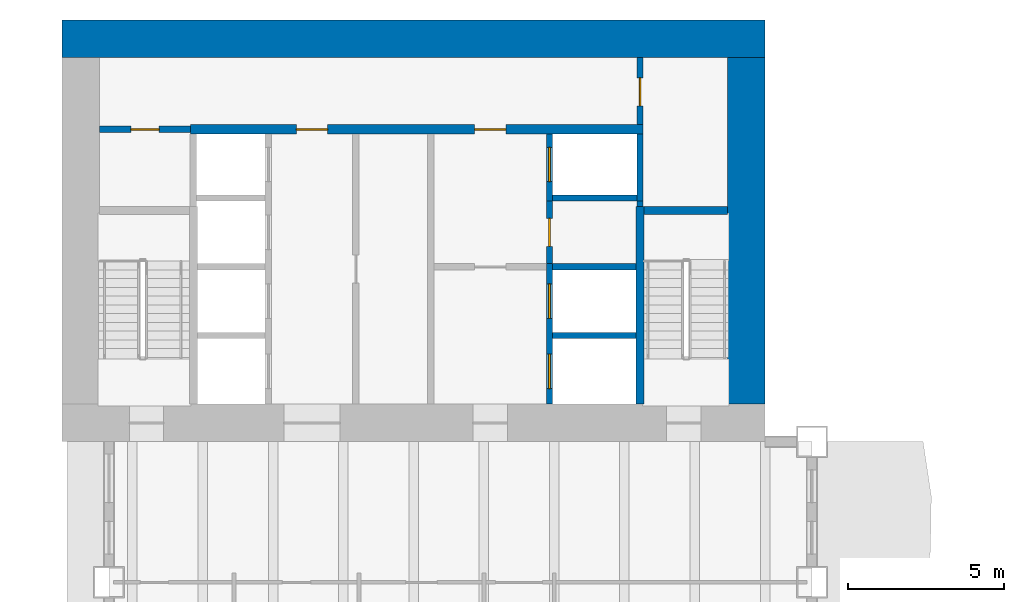
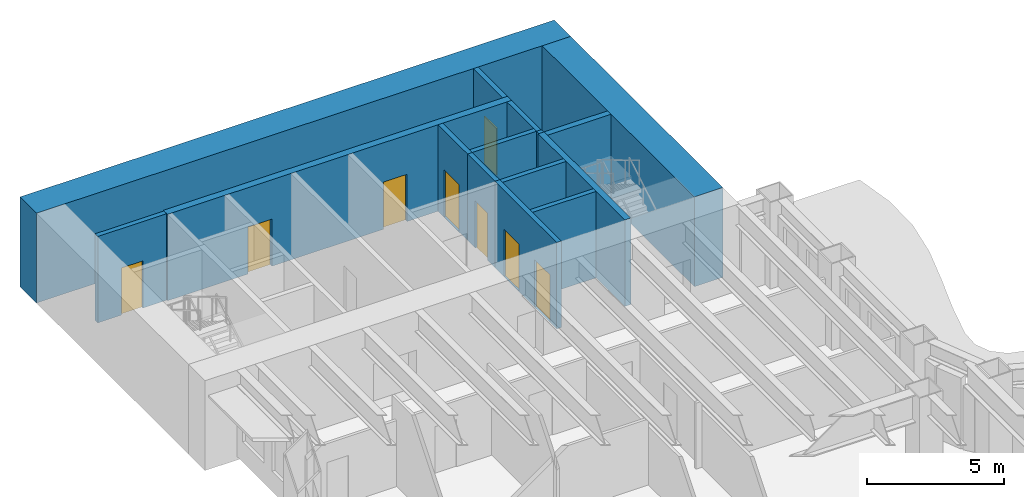
# One storey, part 9 of 16: 15 walls, 8 doors, 8 openings.
"""IFC4 building model written with IfcOpenShell, lengths in metres."""

from ifc_helpers import new_model, si_unit, direction, frame, frame_2d, origin, place, context, subcontext, project, spatial, rectangle, extrude, material, layer, layer_set, type_object, element, fill, save


model = new_model("IFC4")

# Units and contexts
model_context = context("Model", 3, precision=1e-05, world=origin(), true_north=direction((0.0, 1.0)))
body_context = subcontext(model_context, "Body", "Model", "MODEL_VIEW")
ifc_project = project(units=[si_unit("LENGTHUNIT", "METRE"), si_unit("AREAUNIT", "SQUARE_METRE"), si_unit("VOLUMEUNIT", "CUBIC_METRE"), si_unit("PLANEANGLEUNIT", "RADIAN"), si_unit("MASSUNIT", "GRAM", prefix="KILO")], contexts=[model_context])

# Site, building, storey
site_placement = place(None, origin())
site = spatial("IfcSite", under=ifc_project, at=site_placement, CompositionType="ELEMENT")
building_placement = place(site_placement, origin())
building = spatial("IfcBuilding", under=site, at=building_placement, Name="Sennacour Bend Tower", CompositionType="ELEMENT")
storey_placement = place(building_placement, frame((0.0, 0.0, 115.0)))
storey = spatial("IfcBuildingStorey", under=building, at=storey_placement, Name="L26", CompositionType="ELEMENT", Elevation=115.0)

# Walls
ifc_material_1 = material(Name="Concrete C80/95", Category="concrete")
ifc_layer_1 = layer(ifc_material_1, 1.199951171875, Name="Concrete C80/95", Category="concrete")
ifc_layer_set_1 = layer_set([ifc_layer_1], Name="Concrete C80/95")
wall_type_1 = type_object("IfcWallType", Name="Core wall 1200 C80/95", PredefinedType="SHEAR", material=ifc_layer_set_1)
wall_1_placement = place(storey_placement, frame((0.0, 48.89990234375, -0.14990234375), z_axis=(0.0, 0.0, 1.0), x_axis=(1.0, 0.0, 0.0)))
element("IfcWall", 1, at=wall_1_placement, inside=storey, type_object=wall_type_1, Name="Core B wall L26 N", PredefinedType="SHEAR", context=body_context, shape_type="SweptSolid", body=[
    extrude(rectangle(XDim=22.5, YDim=1.199951171875, at=frame_2d((11.25, 0.0))), origin(), (0.0, 0.0, 1.0), 4.0),
])
wall_2_placement = place(storey_placement, frame((21.89990234375, 37.199951171875, -0.14990234375), z_axis=(0.0, 0.0, 1.0), x_axis=(0.0, 1.0, 0.0)))
element("IfcWall", 2, at=wall_2_placement, inside=storey, type_object=wall_type_1, Name="Core B wall L26 E", PredefinedType="SHEAR", context=body_context, shape_type="SweptSolid", body=[
    extrude(rectangle(XDim=11.10009765625, YDim=1.199951171875, at=frame_2d((5.550048828125, 0.0))), origin(), (0.0, 0.0, 1.0), 4.0),
])

# Wall, opening, door
ifc_material_2 = material(Name="Fire-rated plasterboard partition on steel studs", Category="steel")
ifc_layer_2 = layer(ifc_material_2, 0.199951171875, Name="Fire-rated plasterboard partition on steel studs", Category="steel")
ifc_layer_set_2 = layer_set([ifc_layer_2], Name="Fire-rated plasterboard partition on steel studs")
wall_type_2 = type_object("IfcWallType", Name="Rated partition 200", PredefinedType="PARTITIONING", material=ifc_layer_set_2)
wall_3_placement = place(storey_placement, frame((15.60009765625, 41.699951171875, 0.0), z_axis=(0.0, 0.0, 1.0), x_axis=(0.0, 1.0, 0.0)))
wall_3 = element("IfcWall", 3, at=wall_3_placement, inside=storey, type_object=wall_type_2, Name="P-L26-W017", PredefinedType="PARTITIONING", context=body_context, shape_type="SweptSolid", body=[
    extrude(rectangle(XDim=2.0, YDim=0.199951171875, at=frame_2d((1.0, 0.0))), origin(), (0.0, 0.0, 1.0), 3.85009765625),
])
opening_1_placement = place(wall_3_placement, frame((0.550048828125, 0.0, 0.0)))
opening_1 = element("IfcOpeningElement", 4, at=opening_1_placement, cuts=wall_3, Name="Opening SV", PredefinedType="OPENING", context=body_context, shape_type="SweptSolid", body=[
    extrude(rectangle(XDim=0.89990234375, YDim=2.10009765625, at=frame_2d((0.449951171875, 1.050048828125))), frame((0.0, 0.10986328125, 0.0), z_axis=(0.0, -1.0, 0.0), x_axis=(1.0, 0.0, 0.0)), (0.0, 0.0, 1.0), 0.219970703125),
])
ifc_material_3 = material(Name="Painted steel", Category="steel")
door_type_1 = type_object("IfcDoorType", Name="DR-SERVICE-900", OperationType="NOTDEFINED", PredefinedType="DOOR", material=ifc_material_3)
door_1_placement = place(opening_1_placement, origin())
door_1 = element("IfcDoor", 5, at=door_1_placement, inside=storey, type_object=door_type_1, Name="Door", OperationType="SINGLE_SWING_RIGHT", OverallHeight=2.10009765625, OverallWidth=0.89990234375, PredefinedType="DOOR", context=body_context, shape_type="SweptSolid", body=[
    extrude(rectangle(XDim=0.89990234375, YDim=2.10009765625, at=frame_2d((0.449951171875, 1.050048828125))), frame((0.0, 0.02490234375, 0.0), z_axis=(0.0, -1.0, 0.0), x_axis=(1.0, 0.0, 0.0)), (0.0, 0.0, 1.0), 0.050048828125),
])
fill(opening_1, door_1)

# Wall
wall_4_placement = place(storey_placement, frame((18.5, 43.52490234375, 0.0), z_axis=(0.0, 0.0, 1.0), x_axis=(0.0, 1.0, 0.0)))
element("IfcWall", 6, at=wall_4_placement, inside=storey, type_object=wall_type_2, Name="P-L26-W022", PredefinedType="PARTITIONING", context=body_context, shape_type="SweptSolid", body=[
    extrude(rectangle(XDim=0.175048828125, YDim=0.199951171875, at=frame_2d((0.08740234375, 0.0))), origin(), (0.0, 0.0, 1.0), 3.85009765625),
])

# Wall, opening, door
wall_5_placement = place(storey_placement, frame((18.5, 46.14990234375, 0.0), z_axis=(0.0, 0.0, 1.0), x_axis=(0.0, 1.0, 0.0)))
wall_5 = element("IfcWall", 7, at=wall_5_placement, inside=storey, type_object=wall_type_2, Name="P-L26-W024", PredefinedType="PARTITIONING", context=body_context, shape_type="SweptSolid", body=[
    extrude(rectangle(XDim=2.150146484375, YDim=0.199951171875, at=frame_2d((1.0751953125, 0.0))), origin(), (0.0, 0.0, 1.0), 3.85009765625),
])
opening_2_placement = place(wall_5_placement, frame((0.60009765625, 0.0, 0.0)))
opening_2 = element("IfcOpeningElement", 8, at=opening_2_placement, cuts=wall_5, Name="Opening SV", PredefinedType="OPENING", context=body_context, shape_type="SweptSolid", body=[
    extrude(rectangle(XDim=0.89990234375, YDim=2.10009765625, at=frame_2d((0.449951171875, 1.050048828125))), frame((0.0, 0.10986328125, 0.0), z_axis=(0.0, -1.0, 0.0), x_axis=(1.0, 0.0, 0.0)), (0.0, 0.0, 1.0), 0.219970703125),
])
door_2_placement = place(opening_2_placement, origin())
door_2 = element("IfcDoor", 9, at=door_2_placement, inside=storey, type_object=door_type_1, Name="Door", OperationType="SINGLE_SWING_LEFT", OverallHeight=2.10009765625, OverallWidth=0.89990234375, PredefinedType="DOOR", context=body_context, shape_type="SweptSolid", body=[
    extrude(rectangle(XDim=0.89990234375, YDim=2.10009765625, at=frame_2d((0.449951171875, 1.050048828125))), frame((0.0, 0.02490234375, 0.0), z_axis=(0.0, -1.0, 0.0), x_axis=(1.0, 0.0, 0.0)), (0.0, 0.0, 1.0), 0.050048828125),
])
fill(opening_2, door_2)

wall_6_placement = place(storey_placement, frame((1.199951171875, 46.0, 0.0), z_axis=(0.0, 0.0, 1.0), x_axis=(1.0, 0.0, 0.0)))
wall_6 = element("IfcWall", 10, at=wall_6_placement, inside=storey, type_object=wall_type_2, Name="P-L26-W082", PredefinedType="PARTITIONING", context=body_context, shape_type="SweptSolid", body=[
    extrude(rectangle(XDim=2.900146484375, YDim=0.199951171875, at=frame_2d((1.4501953125, 0.0))), origin(), (0.0, 0.0, 1.0), 3.85009765625),
])
opening_3_placement = place(wall_6_placement, frame((1.0, 0.0, 0.0)))
opening_3 = element("IfcOpeningElement", 11, at=opening_3_placement, cuts=wall_6, Name="Opening SV", PredefinedType="OPENING", context=body_context, shape_type="SweptSolid", body=[
    extrude(rectangle(XDim=0.89990234375, YDim=2.10009765625, at=frame_2d((0.449951171875, 1.050048828125))), frame((0.0, 0.10986328125, 0.0), z_axis=(0.0, -1.0, 0.0), x_axis=(1.0, 0.0, 0.0)), (0.0, 0.0, 1.0), 0.219970703125),
])
door_3_placement = place(opening_3_placement, origin())
door_3 = element("IfcDoor", 12, at=door_3_placement, inside=storey, type_object=door_type_1, Name="Door", OperationType="SINGLE_SWING_LEFT", OverallHeight=2.10009765625, OverallWidth=0.89990234375, PredefinedType="DOOR", context=body_context, shape_type="SweptSolid", body=[
    extrude(rectangle(XDim=0.89990234375, YDim=2.10009765625, at=frame_2d((0.449951171875, 1.050048828125))), frame((0.0, 0.02490234375, 0.0), z_axis=(0.0, -1.0, 0.0), x_axis=(1.0, 0.0, 0.0)), (0.0, 0.0, 1.0), 0.050048828125),
])
fill(opening_3, door_3)

# Wall, openings, doors
ifc_material_4 = material(Name="Concrete C50/60", Category="concrete")
ifc_layer_3 = layer(ifc_material_4, 0.199951171875, Name="Concrete C50/60", Category="concrete")
ifc_layer_set_3 = layer_set([ifc_layer_3], Name="Concrete C50/60")
wall_type_3 = type_object("IfcWallType", Name="Shaft wall 200", PredefinedType="SOLIDWALL", material=ifc_layer_set_3)
wall_7_placement = place(storey_placement, frame((15.60009765625, 37.199951171875, 0.0), z_axis=(0.0, 0.0, 1.0), x_axis=(0.0, 1.0, 0.0)))
wall_7 = element("IfcWall", 13, at=wall_7_placement, inside=storey, type_object=wall_type_3, Name="P-L26-W016", PredefinedType="SOLIDWALL", context=body_context, shape_type="SweptSolid", body=[
    extrude(rectangle(XDim=4.5, YDim=0.199951171875, at=frame_2d((2.25, 0.0))), origin(), (0.0, 0.0, 1.0), 3.85009765625),
])
opening_4_placement = place(wall_7_placement, frame((0.5, 0.0, 0.011962890625)))
opening_4 = element("IfcOpeningElement", 14, at=opening_4_placement, cuts=wall_7, Name="Opening FLD", PredefinedType="OPENING", context=body_context, shape_type="SweptSolid", body=[
    extrude(rectangle(XDim=1.10009765625, YDim=2.10009765625, at=frame_2d((0.550048828125, 1.050048828125))), frame((0.0, 0.10986328125, 0.0), z_axis=(0.0, -1.0, 0.0), x_axis=(1.0, 0.0, 0.0)), (0.0, 0.0, 1.0), 0.219970703125),
])
opening_5_placement = place(wall_7_placement, frame((2.75, 0.0, 0.011962890625)))
opening_5 = element("IfcOpeningElement", 15, at=opening_5_placement, cuts=wall_7, Name="Opening FLD", PredefinedType="OPENING", context=body_context, shape_type="SweptSolid", body=[
    extrude(rectangle(XDim=1.10009765625, YDim=2.10009765625, at=frame_2d((0.550048828125, 1.050048828125))), frame((0.0, 0.10986328125, 0.0), z_axis=(0.0, -1.0, 0.0), x_axis=(1.0, 0.0, 0.0)), (0.0, 0.0, 1.0), 0.219970703125),
])
ifc_material_5 = material(Name="Stainless steel", Category="steel")
door_type_2 = type_object("IfcDoorType", Name="DR-FF-LANDING-1100", OperationType="NOTDEFINED", PredefinedType="DOOR", material=ifc_material_5)
door_4_placement = place(opening_4_placement, origin())
door_4 = element("IfcDoor", 16, at=door_4_placement, inside=storey, type_object=door_type_2, Name="Fire service lift landing door FB1", OperationType="SLIDING_TO_LEFT", OverallHeight=2.10009765625, OverallWidth=1.10009765625, PredefinedType="DOOR", context=body_context, shape_type="SweptSolid", body=[
    extrude(rectangle(XDim=1.10009765625, YDim=2.10009765625, at=frame_2d((0.550048828125, 1.050048828125))), frame((0.0, 0.02490234375, 0.0), z_axis=(0.0, -1.0, 0.0), x_axis=(1.0, 0.0, 0.0)), (0.0, 0.0, 1.0), 0.050048828125),
])
fill(opening_4, door_4)
door_5_placement = place(opening_5_placement, origin())
door_5 = element("IfcDoor", 17, at=door_5_placement, inside=storey, type_object=door_type_2, Name="Fire service lift landing door FB2", OperationType="SLIDING_TO_RIGHT", OverallHeight=2.10009765625, OverallWidth=1.10009765625, PredefinedType="DOOR", context=body_context, shape_type="SweptSolid", body=[
    extrude(rectangle(XDim=1.10009765625, YDim=2.10009765625, at=frame_2d((0.550048828125, 1.050048828125))), frame((0.0, 0.02490234375, 0.0), z_axis=(0.0, -1.0, 0.0), x_axis=(1.0, 0.0, 0.0)), (0.0, 0.0, 1.0), 0.050048828125),
])
fill(opening_5, door_5)

# Wall, opening, door
wall_8_placement = place(storey_placement, frame((15.60009765625, 43.699951171875, 0.0), z_axis=(0.0, 0.0, 1.0), x_axis=(0.0, 1.0, 0.0)))
wall_8 = element("IfcWall", 18, at=wall_8_placement, inside=storey, type_object=wall_type_3, Name="P-L26-W018", PredefinedType="SOLIDWALL", context=body_context, shape_type="SweptSolid", body=[
    extrude(rectangle(XDim=2.150146484375, YDim=0.199951171875, at=frame_2d((1.0751953125, 0.0))), origin(), (0.0, 0.0, 1.0), 3.85009765625),
])
opening_6_placement = place(wall_8_placement, frame((0.625, 0.0, 0.011962890625)))
opening_6 = element("IfcOpeningElement", 19, at=opening_6_placement, cuts=wall_8, Name="Opening LD", PredefinedType="OPENING", context=body_context, shape_type="SweptSolid", body=[
    extrude(rectangle(XDim=1.10009765625, YDim=2.10009765625, at=frame_2d((0.550048828125, 1.050048828125))), frame((0.0, 0.10986328125, 0.0), z_axis=(0.0, -1.0, 0.0), x_axis=(1.0, 0.0, 0.0)), (0.0, 0.0, 1.0), 0.219970703125),
])
door_type_3 = type_object("IfcDoorType", Name="DR-LANDING-1100", OperationType="NOTDEFINED", PredefinedType="DOOR", material=ifc_material_5)
door_6_placement = place(opening_6_placement, origin())
door_6 = element("IfcDoor", 20, at=door_6_placement, inside=storey, type_object=door_type_3, Name="Lift landing door LB5", OperationType="SLIDING_TO_LEFT", OverallHeight=2.10009765625, OverallWidth=1.10009765625, PredefinedType="DOOR", context=body_context, shape_type="SweptSolid", body=[
    extrude(rectangle(XDim=1.10009765625, YDim=2.10009765625, at=frame_2d((0.550048828125, 1.050048828125))), frame((0.0, 0.02490234375, 0.0), z_axis=(0.0, -1.0, 0.0), x_axis=(1.0, 0.0, 0.0)), (0.0, 0.0, 1.0), 0.050048828125),
])
fill(opening_6, door_6)

# Walls
wall_9_placement = place(storey_placement, frame((18.5, 43.699951171875, 0.0), z_axis=(0.0, 0.0, 1.0), x_axis=(0.0, 1.0, 0.0)))
element("IfcWall", 21, at=wall_9_placement, inside=storey, type_object=wall_type_3, Name="P-L26-W023", PredefinedType="SOLIDWALL", context=body_context, shape_type="SweptSolid", body=[
    extrude(rectangle(XDim=2.150146484375, YDim=0.199951171875, at=frame_2d((1.0751953125, 0.0))), origin(), (0.0, 0.0, 1.0), 3.85009765625),
])
for number, where, z_axis, x_axis, name in (
    (22, (15.699951171875, 39.39990234375, 0.0), (0.0, 0.0, 1.0), (1.0, 0.0, 0.0), "P-L26-W074"),
    (23, (15.699951171875, 41.60009765625, 0.0), (0.0, 0.0, 1.0), (1.0, 0.0, 0.0), "P-L26-W077"),
):
    element("IfcWall", number, at=place(storey_placement, frame(where, z_axis=z_axis, x_axis=x_axis)), inside=storey, type_object=wall_type_3, Name=name, PredefinedType="SOLIDWALL", context=body_context, shape_type="SweptSolid", body=[
        extrude(rectangle(XDim=2.675048828125, YDim=0.199951171875, at=frame_2d((1.33740234375, 0.0))), origin(), (0.0, 0.0, 1.0), 3.85009765625),
    ])
wall_10_placement = place(storey_placement, frame((15.699951171875, 43.800048828125, 0.0), z_axis=(0.0, 0.0, 1.0), x_axis=(1.0, 0.0, 0.0)))
element("IfcWall", 24, at=wall_10_placement, inside=storey, type_object=wall_type_3, Name="P-L26-W081", PredefinedType="SOLIDWALL", context=body_context, shape_type="SweptSolid", body=[
    extrude(rectangle(XDim=2.699951171875, YDim=0.199951171875, at=frame_2d((1.35009765625, 0.0))), origin(), (0.0, 0.0, 1.0), 3.85009765625),
])

# Wall, openings, doors
ifc_material_6 = material(Name="Concrete C60/75", Category="concrete")
ifc_layer_4 = layer(ifc_material_6, 0.300048828125, Name="Concrete C60/75", Category="concrete")
ifc_layer_set_4 = layer_set([ifc_layer_4], Name="Concrete C60/75")
wall_type_4 = type_object("IfcWallType", Name="Spine wall 300", PredefinedType="SHEAR", material=ifc_layer_set_4)
wall_11_placement = place(storey_placement, frame((4.10009765625, 46.0, 0.0), z_axis=(0.0, 0.0, 1.0), x_axis=(1.0, 0.0, 0.0)))
wall_11 = element("IfcWall", 25, at=wall_11_placement, inside=storey, type_object=wall_type_4, Name="P-L26-W083", PredefinedType="SHEAR", context=body_context, shape_type="SweptSolid", body=[
    extrude(rectangle(XDim=14.5, YDim=0.300048828125, at=frame_2d((7.25, 0.0))), origin(), (0.0, 0.0, 1.0), 3.85009765625),
])
opening_7_placement = place(wall_11_placement, frame((3.39990234375, 0.0, 0.0)))
opening_7 = element("IfcOpeningElement", 26, at=opening_7_placement, cuts=wall_11, Name="Opening CD2", PredefinedType="OPENING", context=body_context, shape_type="SweptSolid", body=[
    extrude(rectangle(XDim=1.0, YDim=2.10009765625, at=frame_2d((0.5, 1.050048828125))), frame((0.0, 0.16015625, 0.0), z_axis=(0.0, -1.0, 0.0), x_axis=(1.0, 0.0, 0.0)), (0.0, 0.0, 1.0), 0.320068359375),
])
opening_8_placement = place(wall_11_placement, frame((9.099853515625, 0.0, 0.0)))
opening_8 = element("IfcOpeningElement", 27, at=opening_8_placement, cuts=wall_11, Name="Opening CD2", PredefinedType="OPENING", context=body_context, shape_type="SweptSolid", body=[
    extrude(rectangle(XDim=1.0, YDim=2.10009765625, at=frame_2d((0.5, 1.050048828125))), frame((0.0, 0.16015625, 0.0), z_axis=(0.0, -1.0, 0.0), x_axis=(1.0, 0.0, 0.0)), (0.0, 0.0, 1.0), 0.320068359375),
])
door_type_4 = type_object("IfcDoorType", Name="DR-LOBBY-1000", OperationType="NOTDEFINED", PredefinedType="DOOR", material=ifc_material_3)
door_7_placement = place(opening_7_placement, origin())
door_7 = element("IfcDoor", 28, at=door_7_placement, inside=storey, type_object=door_type_4, Name="Door", OperationType="SINGLE_SWING_LEFT", OverallHeight=2.10009765625, OverallWidth=1.0, PredefinedType="DOOR", context=body_context, shape_type="SweptSolid", body=[
    extrude(rectangle(XDim=1.0, YDim=2.10009765625, at=frame_2d((0.5, 1.050048828125))), frame((0.0, 0.02490234375, 0.0), z_axis=(0.0, -1.0, 0.0), x_axis=(1.0, 0.0, 0.0)), (0.0, 0.0, 1.0), 0.050048828125),
])
fill(opening_7, door_7)
door_8_placement = place(opening_8_placement, origin())
door_8 = element("IfcDoor", 29, at=door_8_placement, inside=storey, type_object=door_type_4, Name="Door", OperationType="SINGLE_SWING_RIGHT", OverallHeight=2.10009765625, OverallWidth=1.0, PredefinedType="DOOR", context=body_context, shape_type="SweptSolid", body=[
    extrude(rectangle(XDim=1.0, YDim=2.10009765625, at=frame_2d((0.5, 1.050048828125))), frame((0.0, 0.02490234375, 0.0), z_axis=(0.0, -1.0, 0.0), x_axis=(1.0, 0.0, 0.0)), (0.0, 0.0, 1.0), 0.050048828125),
])
fill(opening_8, door_8)

# Walls
ifc_layer_5 = layer(ifc_material_6, 0.25, Name="Concrete C60/75", Category="concrete")
ifc_layer_set_5 = layer_set([ifc_layer_5], Name="Concrete C60/75")
wall_type_5 = type_object("IfcWallType", Name="Stair wall 250", PredefinedType="SHEAR", material=ifc_layer_set_5)
wall_12_placement = place(storey_placement, frame((18.5, 37.199951171875, 0.0), z_axis=(0.0, 0.0, 1.0), x_axis=(0.0, 1.0, 0.0)))
element("IfcWall", 30, at=wall_12_placement, inside=storey, type_object=wall_type_5, Name="P-L26-W021", PredefinedType="SHEAR", context=body_context, shape_type="SweptSolid", body=[
    extrude(rectangle(XDim=6.324951171875, YDim=0.25, at=frame_2d((3.16259765625, 0.0))), origin(), (0.0, 0.0, 1.0), 3.85009765625),
])
wall_13_placement = place(storey_placement, frame((18.625, 43.39990234375, 0.0), z_axis=(0.0, 0.0, 1.0), x_axis=(1.0, 0.0, 0.0)))
element("IfcWall", 31, at=wall_13_placement, inside=storey, type_object=wall_type_5, Name="P-L26-W079", PredefinedType="SHEAR", context=body_context, shape_type="SweptSolid", body=[
    extrude(rectangle(XDim=2.675048828125, YDim=0.25, at=frame_2d((1.33740234375, 0.0))), origin(), (0.0, 0.0, 1.0), 3.85009765625),
])

save(model, "model.ifc")
